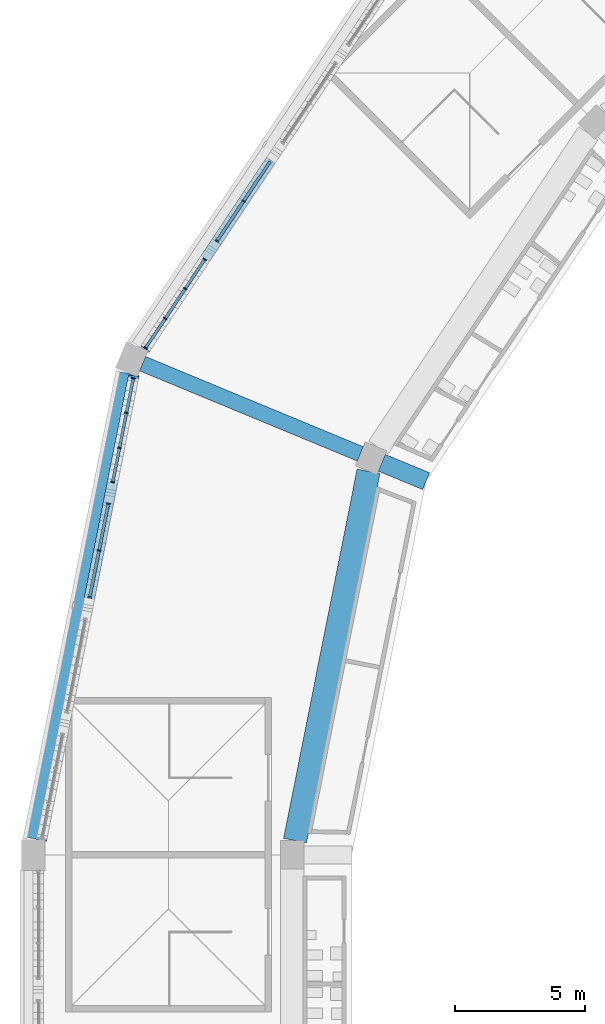
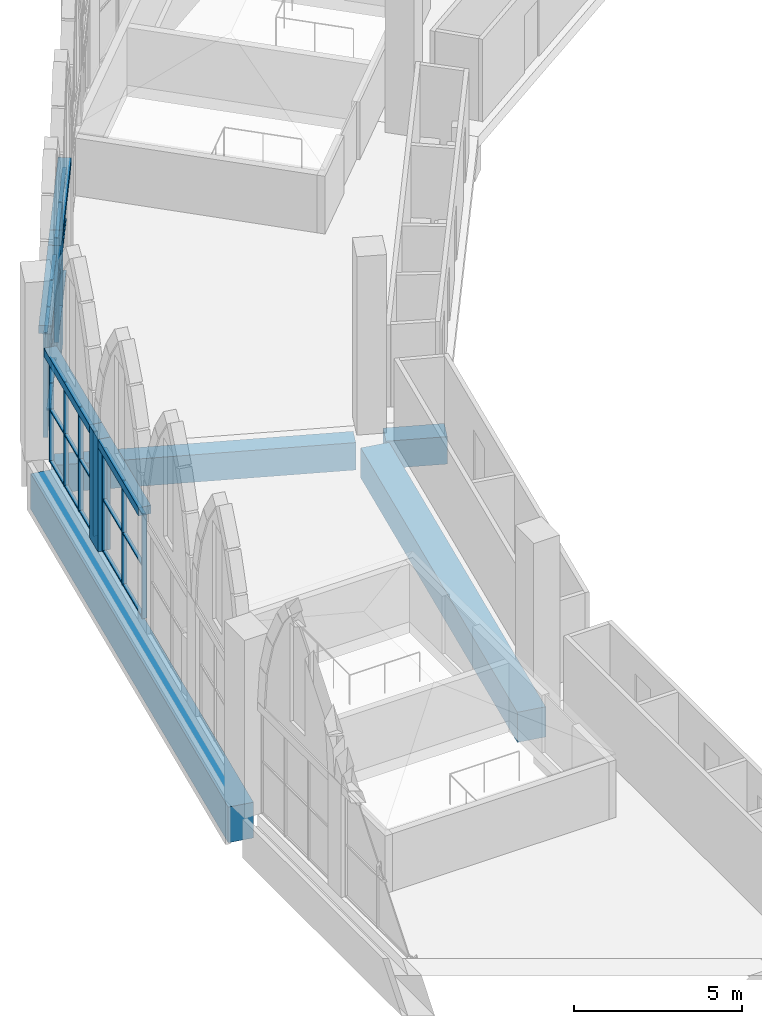
# One storey, part 31 of 130: 45 members, 8 beams, 4 elements without a shape of their own.
"""IFC4 building model written with IfcOpenShell, lengths in metres."""

from ifc_helpers import new_model, si_unit, direction, frame, origin, origin_2d, place, context, subcontext, project, spatial, rectangle, extrude, material, material_profile, profile_set, type_object, element, aggregate, save


model = new_model("IFC4")

# Units and contexts
model_context = context("Model", 3, precision=1e-05, world=origin(), true_north=direction((0.0, 1.0)))
body_context = subcontext(model_context, "Body", "Model", "MODEL_VIEW")
ifc_project = project(units=[si_unit("LENGTHUNIT", "METRE"), si_unit("AREAUNIT", "SQUARE_METRE"), si_unit("VOLUMEUNIT", "CUBIC_METRE"), si_unit("PLANEANGLEUNIT", "RADIAN"), si_unit("MASSUNIT", "GRAM", prefix="KILO")], contexts=[model_context])

# Site, building, storey
site_placement = place(None, origin())
site = spatial("IfcSite", under=ifc_project, at=site_placement, CompositionType="ELEMENT")
building_placement = place(site_placement, origin())
building = spatial("IfcBuilding", under=site, at=building_placement, Name="Ogive Plaza Stadium", CompositionType="ELEMENT")
storey_placement = place(building_placement, frame((0.0, 0.0, 22.5)))
storey = spatial("IfcBuildingStorey", under=building, at=storey_placement, Name="L05", CompositionType="ELEMENT", Elevation=22.5)

# Curtain wall, members
ifc_material_1 = material(Name="Bronze-anodised aluminium with laminated glass", Category="aluminium")
curtain_wall_type = type_object("IfcCurtainWallType", Name="Lancet curtain wall", PredefinedType="NOTDEFINED", material=ifc_material_1)
curtain_wall_1_placement = place(storey_placement, origin())
curtain_wall_1 = element("IfcCurtainWall", 1, at=curtain_wall_1_placement, inside=storey, type_object=curtain_wall_type, Name="CURTAIN WALL B28 L05", PredefinedType="NOTDEFINED")
ifc_material_2 = material(Name="Bronze-anodised aluminium", Category="aluminium")
ifc_material_profile_1 = material_profile(ifc_material_2, rectangle(XDim=0.14990234375, YDim=0.050048828125, at=origin_2d()), Name="AL 150x50")
ifc_profile_set_1 = profile_set([ifc_material_profile_1], Name="Bronze-anodised aluminium")
member_type_1 = type_object("IfcMemberType", Name="Curtain wall mullion 50x150", PredefinedType="MULLION", material=ifc_profile_set_1)
member_1_placement = place(storey_placement, frame((-81.81787109375, 62.44482421875, 0.0), z_axis=(0.0, 0.0, 1.0), x_axis=(-0.980785280417, 0.195090321948, 0.0)))
member_1 = element("IfcMember", 2, at=member_1_placement, type_object=member_type_1, Name="CW-B28-L05.3 mullion 1", PredefinedType="MULLION", context=body_context, shape_type="SweptSolid", body=[
    extrude(rectangle(XDim=0.14990234375, YDim=0.050048828125, at=origin_2d()), origin(), (0.0, 0.0, 1.0), 3.800048828125),
])
member_2_placement = place(storey_placement, frame((-81.458740234375, 64.250244140625, 0.0), z_axis=(0.0, 0.0, 1.0), x_axis=(-0.980785280417, 0.195090321948, 0.0)))
member_2 = element("IfcMember", 3, at=member_2_placement, type_object=member_type_1, Name="CW-B28-L05.3 mullion 2", PredefinedType="MULLION", context=body_context, shape_type="SweptSolid", body=[
    extrude(rectangle(XDim=0.14990234375, YDim=0.050048828125, at=origin_2d()), origin(), (0.0, 0.0, 1.0), 3.800048828125),
])
member_3_placement = place(storey_placement, frame((-81.099609375, 66.0556640625, 0.0), z_axis=(0.0, 0.0, 1.0), x_axis=(-0.980785280417, 0.195090321948, 0.0)))
member_3 = element("IfcMember", 4, at=member_3_placement, type_object=member_type_1, Name="CW-B28-L05.3 mullion 3", PredefinedType="MULLION", context=body_context, shape_type="SweptSolid", body=[
    extrude(rectangle(XDim=0.14990234375, YDim=0.050048828125, at=origin_2d()), origin(), (0.0, 0.0, 1.0), 3.800048828125),
])

curtain_wall_2_placement = place(storey_placement, origin())
curtain_wall_2 = element("IfcCurtainWall", 5, at=curtain_wall_2_placement, inside=storey, type_object=curtain_wall_type, Name="CURTAIN WALL B28 L05", PredefinedType="NOTDEFINED")
member_4_placement = place(storey_placement, frame((-80.933837890625, 66.889404296875, 0.0), z_axis=(0.0, 0.0, 1.0), x_axis=(-0.980785280403, 0.195090322016, 0.0)))
member_4 = element("IfcMember", 6, at=member_4_placement, type_object=member_type_1, Name="CW-B28-L05.4 mullion 1", PredefinedType="MULLION", context=body_context, shape_type="SweptSolid", body=[
    extrude(rectangle(XDim=0.14990234375, YDim=0.050048828125, at=origin_2d()), origin(), (0.0, 0.0, 1.0), 3.800048828125),
])
member_5_placement = place(storey_placement, frame((-80.670166015625, 68.215576171875, 0.0), z_axis=(0.0, 0.0, 1.0), x_axis=(-0.980785280403, 0.195090322016, 0.0)))
member_5 = element("IfcMember", 7, at=member_5_placement, type_object=member_type_1, Name="CW-B28-L05.4 mullion 2", PredefinedType="MULLION", context=body_context, shape_type="SweptSolid", body=[
    extrude(rectangle(XDim=0.14990234375, YDim=0.050048828125, at=origin_2d()), origin(), (0.0, 0.0, 1.0), 3.800048828125),
])
member_6_placement = place(storey_placement, frame((-80.4013671875, 69.56640625, 0.0), z_axis=(0.0, 0.0, 1.0), x_axis=(-0.980785280403, 0.195090322016, 0.0)))
member_6 = element("IfcMember", 8, at=member_6_placement, type_object=member_type_1, Name="CW-B28-L05.4 mullion 3", PredefinedType="MULLION", context=body_context, shape_type="SweptSolid", body=[
    extrude(rectangle(XDim=0.14990234375, YDim=0.050048828125, at=origin_2d()), origin(), (0.0, 0.0, 1.0), 3.800048828125),
])
member_7_placement = place(storey_placement, frame((-80.137451171875, 70.892578125, 0.0), z_axis=(0.0, 0.0, 1.0), x_axis=(-0.980785280403, 0.195090322016, 0.0)))
member_7 = element("IfcMember", 9, at=member_7_placement, type_object=member_type_1, Name="CW-B28-L05.4 mullion 4", PredefinedType="MULLION", context=body_context, shape_type="SweptSolid", body=[
    extrude(rectangle(XDim=0.14990234375, YDim=0.050048828125, at=origin_2d()), origin(), (0.0, 0.0, 1.0), 3.800048828125),
])

curtain_wall_3_placement = place(storey_placement, origin())
curtain_wall_3 = element("IfcCurtainWall", 10, at=curtain_wall_3_placement, inside=storey, type_object=curtain_wall_type, Name="CURTAIN WALL B29 L05", PredefinedType="NOTDEFINED")
member_8_placement = place(storey_placement, frame((-79.657958984375, 72.076171875, 0.0), z_axis=(0.0, 0.0, 1.0), x_axis=(-0.83146961239, 0.555570232889, 0.0)))
member_8 = element("IfcMember", 11, at=member_8_placement, type_object=member_type_1, Name="CW-B29-L05.1 mullion 1", PredefinedType="MULLION", context=body_context, shape_type="SweptSolid", body=[
    extrude(rectangle(XDim=0.14990234375, YDim=0.050048828125, at=origin_2d()), origin(), (0.0, 0.0, 1.0), 3.800048828125),
])
member_9_placement = place(storey_placement, frame((-78.902099609375, 73.207763671875, 0.0), z_axis=(0.0, 0.0, 1.0), x_axis=(-0.83146961239, 0.555570232889, 0.0)))
member_9 = element("IfcMember", 12, at=member_9_placement, type_object=member_type_1, Name="CW-B29-L05.1 mullion 2", PredefinedType="MULLION", context=body_context, shape_type="SweptSolid", body=[
    extrude(rectangle(XDim=0.14990234375, YDim=0.050048828125, at=origin_2d()), origin(), (0.0, 0.0, 1.0), 3.800048828125),
])
member_10_placement = place(storey_placement, frame((-78.13232421875, 74.35986328125, 0.0), z_axis=(0.0, 0.0, 1.0), x_axis=(-0.83146961239, 0.555570232889, 0.0)))
member_10 = element("IfcMember", 13, at=member_10_placement, type_object=member_type_1, Name="CW-B29-L05.1 mullion 3", PredefinedType="MULLION", context=body_context, shape_type="SweptSolid", body=[
    extrude(rectangle(XDim=0.14990234375, YDim=0.050048828125, at=origin_2d()), origin(), (0.0, 0.0, 1.0), 3.800048828125),
])
member_11_placement = place(storey_placement, frame((-77.376220703125, 75.4912109375, 0.0), z_axis=(0.0, 0.0, 1.0), x_axis=(-0.83146961239, 0.555570232889, 0.0)))
member_11 = element("IfcMember", 14, at=member_11_placement, type_object=member_type_1, Name="CW-B29-L05.1 mullion 4", PredefinedType="MULLION", context=body_context, shape_type="SweptSolid", body=[
    extrude(rectangle(XDim=0.14990234375, YDim=0.050048828125, at=origin_2d()), origin(), (0.0, 0.0, 1.0), 3.800048828125),
])

curtain_wall_4_placement = place(storey_placement, origin())
curtain_wall_4 = element("IfcCurtainWall", 15, at=curtain_wall_4_placement, inside=storey, type_object=curtain_wall_type, Name="CURTAIN WALL B29 L05", PredefinedType="NOTDEFINED")
member_12_placement = place(storey_placement, frame((-76.904052734375, 76.197998046875, 0.0), z_axis=(0.0, 0.0, 1.0), x_axis=(-0.831469612157, 0.555570233237, 0.0)))
member_12 = element("IfcMember", 16, at=member_12_placement, type_object=member_type_1, Name="CW-B29-L05.2 mullion 1", PredefinedType="MULLION", context=body_context, shape_type="SweptSolid", body=[
    extrude(rectangle(XDim=0.14990234375, YDim=0.050048828125, at=origin_2d()), origin(), (0.0, 0.0, 1.0), 3.800048828125),
])
member_13_placement = place(storey_placement, frame((-75.874267578125, 77.739013671875, 0.0), z_axis=(0.0, 0.0, 1.0), x_axis=(-0.831469612157, 0.555570233237, 0.0)))
member_13 = element("IfcMember", 17, at=member_13_placement, type_object=member_type_1, Name="CW-B29-L05.2 mullion 2", PredefinedType="MULLION", context=body_context, shape_type="SweptSolid", body=[
    extrude(rectangle(XDim=0.14990234375, YDim=0.050048828125, at=origin_2d()), origin(), (0.0, 0.0, 1.0), 3.800048828125),
])

# Member
ifc_material_3 = material(Name="Bronze-anodised aluminium", Category="aluminium")
ifc_material_profile_2 = material_profile(ifc_material_3, rectangle(XDim=0.1201171875, YDim=0.050048828125, at=origin_2d()), Name="AL 120x50")
ifc_profile_set_2 = profile_set([ifc_material_profile_2], Name="Bronze-anodised aluminium")
member_type_2 = type_object("IfcMemberType", Name="Curtain wall transom 50x120", PredefinedType="USERDEFINED", material=ifc_profile_set_2)
member_14_placement = place(storey_placement, frame((-81.81298828125, 62.469482421875, 0.02490234375), z_axis=(0.195093525761, 0.980784643133, 0.0), x_axis=(-0.980784643133, 0.195093525761, 0.0)))
member_14 = element("IfcMember", 18, at=member_14_placement, type_object=member_type_2, Name="CW-B28-L05.3 transom 1.1", ObjectType="TRANSOM", PredefinedType="USERDEFINED", context=body_context, shape_type="SweptSolid", body=[
    extrude(rectangle(XDim=0.1201171875, YDim=0.050048828125, at=origin_2d()), origin(), (0.0, 0.0, 1.0), 1.790771484375),
])

member_15_placement = place(storey_placement, frame((-81.81298828125, 62.469482421875, 1.89990234375), z_axis=(0.195093525761, 0.980784643133, 0.0), x_axis=(-0.980784643133, 0.195093525761, 0.0)))
member_15 = element("IfcMember", 19, at=member_15_placement, type_object=member_type_2, Name="CW-B28-L05.3 transom 1.2", ObjectType="TRANSOM", PredefinedType="USERDEFINED", context=body_context, shape_type="SweptSolid", body=[
    extrude(rectangle(XDim=0.1201171875, YDim=0.050048828125, at=origin_2d()), origin(), (0.0, 0.0, 1.0), 1.790771484375),
])

member_16_placement = place(storey_placement, frame((-81.81298828125, 62.469482421875, 3.77490234375), z_axis=(0.195093525761, 0.980784643133, 0.0), x_axis=(-0.980784643133, 0.195093525761, 0.0)))
member_16 = element("IfcMember", 20, at=member_16_placement, type_object=member_type_2, Name="CW-B28-L05.3 transom 1.3", ObjectType="TRANSOM", PredefinedType="USERDEFINED", context=body_context, shape_type="SweptSolid", body=[
    extrude(rectangle(XDim=0.1201171875, YDim=0.050048828125, at=origin_2d()), origin(), (0.0, 0.0, 1.0), 1.790771484375),
])

member_17_placement = place(storey_placement, frame((-81.453857421875, 64.27490234375, 0.02490234375), z_axis=(0.195093525761, 0.980784643133, 0.0), x_axis=(-0.980784643133, 0.195093525761, 0.0)))
member_17 = element("IfcMember", 21, at=member_17_placement, type_object=member_type_2, Name="CW-B28-L05.3 transom 2.1", ObjectType="TRANSOM", PredefinedType="USERDEFINED", context=body_context, shape_type="SweptSolid", body=[
    extrude(rectangle(XDim=0.1201171875, YDim=0.050048828125, at=origin_2d()), origin(), (0.0, 0.0, 1.0), 1.790771484375),
])

member_18_placement = place(storey_placement, frame((-81.453857421875, 64.27490234375, 1.89990234375), z_axis=(0.195093525761, 0.980784643133, 0.0), x_axis=(-0.980784643133, 0.195093525761, 0.0)))
member_18 = element("IfcMember", 22, at=member_18_placement, type_object=member_type_2, Name="CW-B28-L05.3 transom 2.2", ObjectType="TRANSOM", PredefinedType="USERDEFINED", context=body_context, shape_type="SweptSolid", body=[
    extrude(rectangle(XDim=0.1201171875, YDim=0.050048828125, at=origin_2d()), origin(), (0.0, 0.0, 1.0), 1.790771484375),
])

member_19_placement = place(storey_placement, frame((-81.453857421875, 64.27490234375, 3.77490234375), z_axis=(0.195093525761, 0.980784643133, 0.0), x_axis=(-0.980784643133, 0.195093525761, 0.0)))
member_19 = element("IfcMember", 23, at=member_19_placement, type_object=member_type_2, Name="CW-B28-L05.3 transom 2.3", ObjectType="TRANSOM", PredefinedType="USERDEFINED", context=body_context, shape_type="SweptSolid", body=[
    extrude(rectangle(XDim=0.1201171875, YDim=0.050048828125, at=origin_2d()), origin(), (0.0, 0.0, 1.0), 1.790771484375),
])

aggregate(curtain_wall_1, [member_1, member_2, member_3, member_14, member_15, member_16, member_17, member_18, member_19])

member_20_placement = place(storey_placement, frame((-80.928955078125, 66.9140625, 0.02490234375), z_axis=(0.195178588319, 0.980767719015, 0.0), x_axis=(-0.980767719015, 0.195178588319, 0.0)))
member_20 = element("IfcMember", 24, at=member_20_placement, type_object=member_type_2, Name="CW-B28-L05.4 transom 1.1", ObjectType="TRANSOM", PredefinedType="USERDEFINED", context=body_context, shape_type="SweptSolid", body=[
    extrude(rectangle(XDim=0.1201171875, YDim=0.050048828125, at=origin_2d()), origin(), (0.0, 0.0, 1.0), 1.30224609375),
])

member_21_placement = place(storey_placement, frame((-80.928955078125, 66.9140625, 1.89990234375), z_axis=(0.195178588319, 0.980767719015, 0.0), x_axis=(-0.980767719015, 0.195178588319, 0.0)))
member_21 = element("IfcMember", 25, at=member_21_placement, type_object=member_type_2, Name="CW-B28-L05.4 transom 1.2", ObjectType="TRANSOM", PredefinedType="USERDEFINED", context=body_context, shape_type="SweptSolid", body=[
    extrude(rectangle(XDim=0.1201171875, YDim=0.050048828125, at=origin_2d()), origin(), (0.0, 0.0, 1.0), 1.30224609375),
])

member_22_placement = place(storey_placement, frame((-80.928955078125, 66.9140625, 3.77490234375), z_axis=(0.195178588319, 0.980767719015, 0.0), x_axis=(-0.980767719015, 0.195178588319, 0.0)))
member_22 = element("IfcMember", 26, at=member_22_placement, type_object=member_type_2, Name="CW-B28-L05.4 transom 1.3", ObjectType="TRANSOM", PredefinedType="USERDEFINED", context=body_context, shape_type="SweptSolid", body=[
    extrude(rectangle(XDim=0.1201171875, YDim=0.050048828125, at=origin_2d()), origin(), (0.0, 0.0, 1.0), 1.30224609375),
])

member_23_placement = place(storey_placement, frame((-80.665283203125, 68.240234375, 0.02490234375), z_axis=(0.19519617995, 0.980764218012, 0.0), x_axis=(-0.980764218012, 0.19519617995, 0.0)))
member_23 = element("IfcMember", 27, at=member_23_placement, type_object=member_type_2, Name="CW-B28-L05.4 transom 2.1", ObjectType="TRANSOM", PredefinedType="USERDEFINED", context=body_context, shape_type="SweptSolid", body=[
    extrude(rectangle(XDim=0.1201171875, YDim=0.050048828125, at=origin_2d()), origin(), (0.0, 0.0, 1.0), 1.3271484375),
])

member_24_placement = place(storey_placement, frame((-80.665283203125, 68.240234375, 1.89990234375), z_axis=(0.19519617995, 0.980764218012, 0.0), x_axis=(-0.980764218012, 0.19519617995, 0.0)))
member_24 = element("IfcMember", 28, at=member_24_placement, type_object=member_type_2, Name="CW-B28-L05.4 transom 2.2", ObjectType="TRANSOM", PredefinedType="USERDEFINED", context=body_context, shape_type="SweptSolid", body=[
    extrude(rectangle(XDim=0.1201171875, YDim=0.050048828125, at=origin_2d()), origin(), (0.0, 0.0, 1.0), 1.3271484375),
])

member_25_placement = place(storey_placement, frame((-80.665283203125, 68.240234375, 3.77490234375), z_axis=(0.19519617995, 0.980764218012, 0.0), x_axis=(-0.980764218012, 0.19519617995, 0.0)))
member_25 = element("IfcMember", 29, at=member_25_placement, type_object=member_type_2, Name="CW-B28-L05.4 transom 2.3", ObjectType="TRANSOM", PredefinedType="USERDEFINED", context=body_context, shape_type="SweptSolid", body=[
    extrude(rectangle(XDim=0.1201171875, YDim=0.050048828125, at=origin_2d()), origin(), (0.0, 0.0, 1.0), 1.3271484375),
])

member_26_placement = place(storey_placement, frame((-80.396484375, 69.5908203125, 0.02490234375), z_axis=(0.195142704264, 0.980774859472, 0.0), x_axis=(-0.980774859472, 0.195142704264, 0.0)))
member_26 = element("IfcMember", 30, at=member_26_placement, type_object=member_type_2, Name="CW-B28-L05.4 transom 3.1", ObjectType="TRANSOM", PredefinedType="USERDEFINED", context=body_context, shape_type="SweptSolid", body=[
    extrude(rectangle(XDim=0.1201171875, YDim=0.050048828125, at=origin_2d()), origin(), (0.0, 0.0, 1.0), 1.302490234375),
])

member_27_placement = place(storey_placement, frame((-80.396484375, 69.5908203125, 1.89990234375), z_axis=(0.195142704264, 0.980774859472, 0.0), x_axis=(-0.980774859472, 0.195142704264, 0.0)))
member_27 = element("IfcMember", 31, at=member_27_placement, type_object=member_type_2, Name="CW-B28-L05.4 transom 3.2", ObjectType="TRANSOM", PredefinedType="USERDEFINED", context=body_context, shape_type="SweptSolid", body=[
    extrude(rectangle(XDim=0.1201171875, YDim=0.050048828125, at=origin_2d()), origin(), (0.0, 0.0, 1.0), 1.302490234375),
])

member_28_placement = place(storey_placement, frame((-80.396484375, 69.5908203125, 3.77490234375), z_axis=(0.195142704264, 0.980774859472, 0.0), x_axis=(-0.980774859472, 0.195142704264, 0.0)))
member_28 = element("IfcMember", 32, at=member_28_placement, type_object=member_type_2, Name="CW-B28-L05.4 transom 3.3", ObjectType="TRANSOM", PredefinedType="USERDEFINED", context=body_context, shape_type="SweptSolid", body=[
    extrude(rectangle(XDim=0.1201171875, YDim=0.050048828125, at=origin_2d()), origin(), (0.0, 0.0, 1.0), 1.302490234375),
])

aggregate(curtain_wall_2, [member_4, member_5, member_6, member_7, member_20, member_21, member_22, member_23, member_24, member_25, member_26, member_27, member_28])

member_29_placement = place(storey_placement, frame((-79.64404296875, 72.09716796875, 0.02490234375), z_axis=(0.555559766553, 0.831476605676, 0.0), x_axis=(-0.831476605676, 0.555559766553, 0.0)))
member_29 = element("IfcMember", 33, at=member_29_placement, type_object=member_type_2, Name="CW-B29-L05.1 transom 1.1", ObjectType="TRANSOM", PredefinedType="USERDEFINED", context=body_context, shape_type="SweptSolid", body=[
    extrude(rectangle(XDim=0.1201171875, YDim=0.050048828125, at=origin_2d()), origin(), (0.0, 0.0, 1.0), 1.310546875),
])

member_30_placement = place(storey_placement, frame((-79.64404296875, 72.09716796875, 1.89990234375), z_axis=(0.555559766553, 0.831476605676, 0.0), x_axis=(-0.831476605676, 0.555559766553, 0.0)))
member_30 = element("IfcMember", 34, at=member_30_placement, type_object=member_type_2, Name="CW-B29-L05.1 transom 1.2", ObjectType="TRANSOM", PredefinedType="USERDEFINED", context=body_context, shape_type="SweptSolid", body=[
    extrude(rectangle(XDim=0.1201171875, YDim=0.050048828125, at=origin_2d()), origin(), (0.0, 0.0, 1.0), 1.310546875),
])

member_31_placement = place(storey_placement, frame((-79.64404296875, 72.09716796875, 3.77490234375), z_axis=(0.555559766553, 0.831476605676, 0.0), x_axis=(-0.831476605676, 0.555559766553, 0.0)))
member_31 = element("IfcMember", 35, at=member_31_placement, type_object=member_type_2, Name="CW-B29-L05.1 transom 1.3", ObjectType="TRANSOM", PredefinedType="USERDEFINED", context=body_context, shape_type="SweptSolid", body=[
    extrude(rectangle(XDim=0.1201171875, YDim=0.050048828125, at=origin_2d()), origin(), (0.0, 0.0, 1.0), 1.310546875),
])

member_32_placement = place(storey_placement, frame((-78.88818359375, 73.228515625, 0.02490234375), z_axis=(0.555627772154, 0.831431163002, 0.0), x_axis=(-0.831431163002, 0.555627772154, 0.0)))
member_32 = element("IfcMember", 36, at=member_32_placement, type_object=member_type_2, Name="CW-B29-L05.1 transom 2.1", ObjectType="TRANSOM", PredefinedType="USERDEFINED", context=body_context, shape_type="SweptSolid", body=[
    extrude(rectangle(XDim=0.1201171875, YDim=0.050048828125, at=origin_2d()), origin(), (0.0, 0.0, 1.0), 1.335693359375),
])

member_33_placement = place(storey_placement, frame((-78.88818359375, 73.228515625, 1.89990234375), z_axis=(0.555627772154, 0.831431163002, 0.0), x_axis=(-0.831431163002, 0.555627772154, 0.0)))
member_33 = element("IfcMember", 37, at=member_33_placement, type_object=member_type_2, Name="CW-B29-L05.1 transom 2.2", ObjectType="TRANSOM", PredefinedType="USERDEFINED", context=body_context, shape_type="SweptSolid", body=[
    extrude(rectangle(XDim=0.1201171875, YDim=0.050048828125, at=origin_2d()), origin(), (0.0, 0.0, 1.0), 1.335693359375),
])

member_34_placement = place(storey_placement, frame((-78.88818359375, 73.228515625, 3.77490234375), z_axis=(0.555627772154, 0.831431163002, 0.0), x_axis=(-0.831431163002, 0.555627772154, 0.0)))
member_34 = element("IfcMember", 38, at=member_34_placement, type_object=member_type_2, Name="CW-B29-L05.1 transom 2.3", ObjectType="TRANSOM", PredefinedType="USERDEFINED", context=body_context, shape_type="SweptSolid", body=[
    extrude(rectangle(XDim=0.1201171875, YDim=0.050048828125, at=origin_2d()), origin(), (0.0, 0.0, 1.0), 1.335693359375),
])

member_35_placement = place(storey_placement, frame((-78.118408203125, 74.380615234375, 0.02490234375), z_axis=(0.555602496438, 0.83144805367, 0.0), x_axis=(-0.83144805367, 0.555602496438, 0.0)))
member_35 = element("IfcMember", 39, at=member_35_placement, type_object=member_type_2, Name="CW-B29-L05.1 transom 3.1", ObjectType="TRANSOM", PredefinedType="USERDEFINED", context=body_context, shape_type="SweptSolid", body=[
    extrude(rectangle(XDim=0.1201171875, YDim=0.050048828125, at=origin_2d()), origin(), (0.0, 0.0, 1.0), 1.310791015625),
])

member_36_placement = place(storey_placement, frame((-78.118408203125, 74.380615234375, 1.89990234375), z_axis=(0.555602496438, 0.83144805367, 0.0), x_axis=(-0.83144805367, 0.555602496438, 0.0)))
member_36 = element("IfcMember", 40, at=member_36_placement, type_object=member_type_2, Name="CW-B29-L05.1 transom 3.2", ObjectType="TRANSOM", PredefinedType="USERDEFINED", context=body_context, shape_type="SweptSolid", body=[
    extrude(rectangle(XDim=0.1201171875, YDim=0.050048828125, at=origin_2d()), origin(), (0.0, 0.0, 1.0), 1.310791015625),
])

member_37_placement = place(storey_placement, frame((-78.118408203125, 74.380615234375, 3.77490234375), z_axis=(0.555602496438, 0.83144805367, 0.0), x_axis=(-0.83144805367, 0.555602496438, 0.0)))
member_37 = element("IfcMember", 41, at=member_37_placement, type_object=member_type_2, Name="CW-B29-L05.1 transom 3.3", ObjectType="TRANSOM", PredefinedType="USERDEFINED", context=body_context, shape_type="SweptSolid", body=[
    extrude(rectangle(XDim=0.1201171875, YDim=0.050048828125, at=origin_2d()), origin(), (0.0, 0.0, 1.0), 1.310791015625),
])

aggregate(curtain_wall_3, [member_8, member_9, member_10, member_11, member_29, member_30, member_31, member_32, member_33, member_34, member_35, member_36, member_37])

member_38_placement = place(storey_placement, frame((-76.89013671875, 76.21875, 0.02490234375), z_axis=(0.555574613559, 0.831466685303, 0.0), x_axis=(-0.831466685303, 0.555574613559, 0.0)))
member_38 = element("IfcMember", 42, at=member_38_placement, type_object=member_type_2, Name="CW-B29-L05.2 transom 1.1", ObjectType="TRANSOM", PredefinedType="USERDEFINED", context=body_context, shape_type="SweptSolid", body=[
    extrude(rectangle(XDim=0.1201171875, YDim=0.050048828125, at=origin_2d()), origin(), (0.0, 0.0, 1.0), 1.803466796875),
])

member_39_placement = place(storey_placement, frame((-76.89013671875, 76.21875, 1.89990234375), z_axis=(0.555574613559, 0.831466685303, 0.0), x_axis=(-0.831466685303, 0.555574613559, 0.0)))
member_39 = element("IfcMember", 43, at=member_39_placement, type_object=member_type_2, Name="CW-B29-L05.2 transom 1.2", ObjectType="TRANSOM", PredefinedType="USERDEFINED", context=body_context, shape_type="SweptSolid", body=[
    extrude(rectangle(XDim=0.1201171875, YDim=0.050048828125, at=origin_2d()), origin(), (0.0, 0.0, 1.0), 1.803466796875),
])

member_40_placement = place(storey_placement, frame((-76.89013671875, 76.21875, 3.77490234375), z_axis=(0.555574613559, 0.831466685303, 0.0), x_axis=(-0.831466685303, 0.555574613559, 0.0)))
member_40 = element("IfcMember", 44, at=member_40_placement, type_object=member_type_2, Name="CW-B29-L05.2 transom 1.3", ObjectType="TRANSOM", PredefinedType="USERDEFINED", context=body_context, shape_type="SweptSolid", body=[
    extrude(rectangle(XDim=0.1201171875, YDim=0.050048828125, at=origin_2d()), origin(), (0.0, 0.0, 1.0), 1.803466796875),
])

member_41_placement = place(storey_placement, frame((-75.8603515625, 77.760009765625, 0.02490234375), z_axis=(0.555574613559, 0.831466685303, 0.0), x_axis=(-0.831466685303, 0.555574613559, 0.0)))
member_41 = element("IfcMember", 45, at=member_41_placement, type_object=member_type_2, Name="CW-B29-L05.2 transom 2.1", ObjectType="TRANSOM", PredefinedType="USERDEFINED", context=body_context, shape_type="SweptSolid", body=[
    extrude(rectangle(XDim=0.1201171875, YDim=0.050048828125, at=origin_2d()), origin(), (0.0, 0.0, 1.0), 1.803466796875),
])

member_42_placement = place(storey_placement, frame((-75.8603515625, 77.760009765625, 1.89990234375), z_axis=(0.555574613559, 0.831466685303, 0.0), x_axis=(-0.831466685303, 0.555574613559, 0.0)))
member_42 = element("IfcMember", 46, at=member_42_placement, type_object=member_type_2, Name="CW-B29-L05.2 transom 2.2", ObjectType="TRANSOM", PredefinedType="USERDEFINED", context=body_context, shape_type="SweptSolid", body=[
    extrude(rectangle(XDim=0.1201171875, YDim=0.050048828125, at=origin_2d()), origin(), (0.0, 0.0, 1.0), 1.803466796875),
])

member_43_placement = place(storey_placement, frame((-75.8603515625, 77.760009765625, 3.77490234375), z_axis=(0.555574613559, 0.831466685303, 0.0), x_axis=(-0.831466685303, 0.555574613559, 0.0)))
member_43 = element("IfcMember", 47, at=member_43_placement, type_object=member_type_2, Name="CW-B29-L05.2 transom 2.3", ObjectType="TRANSOM", PredefinedType="USERDEFINED", context=body_context, shape_type="SweptSolid", body=[
    extrude(rectangle(XDim=0.1201171875, YDim=0.050048828125, at=origin_2d()), origin(), (0.0, 0.0, 1.0), 1.803466796875),
])

aggregate(curtain_wall_4, [member_12, member_13, member_38, member_39, member_40, member_41, member_42, member_43])

# Members
ifc_material_4 = material(Name="Concrete C45/55 precast", Category="concrete")
ifc_material_profile_3 = material_profile(ifc_material_4, rectangle(XDim=0.39990234375, YDim=0.800048828125, at=origin_2d()), Name="RC 400x800")
ifc_profile_set_3 = profile_set([ifc_material_profile_3], Name="Concrete C45/55 precast")
member_type_3 = type_object("IfcMemberType", Name="Precast colonette 800x400", PredefinedType="POST", material=ifc_profile_set_3)
for number, where, z_axis, x_axis, name in (
    (48, (-81.016845703125, 66.47265625, 0.0), (0.0, 0.0, 1.0), (-0.980785280403, 0.195090322016, 0.0), "COLONETTE B28 3"),
    (49, (-77.14013671875, 75.844482421875, 0.0), (0.0, 0.0, 1.0), (-0.831469612303, 0.55557023302, 0.0), "COLONETTE B29 1"),
):
    element("IfcMember", number, at=place(storey_placement, frame(where, z_axis=z_axis, x_axis=x_axis)), inside=storey, type_object=member_type_3, Name=name, PredefinedType="POST", context=body_context, shape_type="SweptSolid", body=[
        extrude(rectangle(XDim=0.39990234375, YDim=0.800048828125, at=origin_2d()), origin(), (0.0, 0.0, 1.0), 4.10009765625),
    ])

# Beams
ifc_material_5 = material(Name="Concrete C45/55 precast", Category="concrete")
ifc_material_profile_4 = material_profile(ifc_material_5, rectangle(XDim=0.39990234375, YDim=0.300048828125, at=origin_2d()), Name="RC 400x300")
ifc_profile_set_4 = profile_set([ifc_material_profile_4], Name="Concrete C45/55 precast")
beam_type_1 = type_object("IfcBeamType", Name="Precast tympanum lintel 400x300", PredefinedType="BEAM", material=ifc_profile_set_4)
beam_1_placement = place(storey_placement, frame((-81.82861328125, 62.390869140625, 3.949951171875), z_axis=(0.195100654669, 0.980783225054, 0.0), x_axis=(-0.980783225054, 0.195100654669, 0.0)))
element("IfcBeam", 50, at=beam_1_placement, inside=storey, type_object=beam_type_1, Name="TYMPANUM LINTEL B28 3", PredefinedType="BEAM", context=body_context, shape_type="SweptSolid", body=[
    extrude(rectangle(XDim=0.39990234375, YDim=0.300048828125, at=origin_2d()), origin(), (0.0, 0.0, 1.0), 3.79150390625),
])
beam_2_placement = place(storey_placement, frame((-80.944580078125, 66.83544921875, 3.949951171875), z_axis=(0.195075797594, 0.980788169379, 0.0), x_axis=(-0.980788169379, 0.195075797594, 0.0)))
element("IfcBeam", 51, at=beam_2_placement, inside=storey, type_object=beam_type_1, Name="TYMPANUM LINTEL B28 4", PredefinedType="BEAM", context=body_context, shape_type="SweptSolid", body=[
    extrude(rectangle(XDim=0.39990234375, YDim=0.300048828125, at=origin_2d()), origin(), (0.0, 0.0, 1.0), 4.24267578125),
])
beam_3_placement = place(storey_placement, frame((-79.6884765625, 72.030517578125, 3.949951171875), z_axis=(0.555554959537, 0.831479817514, 0.0), x_axis=(-0.831479817514, 0.555554959537, 0.0)))
element("IfcBeam", 52, at=beam_3_placement, inside=storey, type_object=beam_type_1, Name="TYMPANUM LINTEL B29 1", PredefinedType="BEAM", context=body_context, shape_type="SweptSolid", body=[
    extrude(rectangle(XDim=0.39990234375, YDim=0.300048828125, at=origin_2d()), origin(), (0.0, 0.0, 1.0), 4.217041015625),
])
beam_4_placement = place(storey_placement, frame((-76.9345703125, 76.152099609375, 3.949951171875), z_axis=(0.555555981733, 0.831479134531, 0.0), x_axis=(-0.831479134531, 0.555555981733, 0.0)))
element("IfcBeam", 53, at=beam_4_placement, inside=storey, type_object=beam_type_1, Name="TYMPANUM LINTEL B29 2", PredefinedType="BEAM", context=body_context, shape_type="SweptSolid", body=[
    extrude(rectangle(XDim=0.39990234375, YDim=0.300048828125, at=origin_2d()), origin(), (0.0, 0.0, 1.0), 3.817138671875),
])
ifc_material_6 = material(Name="Concrete C40/50", Category="concrete")
ifc_material_profile_5 = material_profile(ifc_material_6, rectangle(XDim=0.60009765625, YDim=1.0, at=origin_2d()), Name="RC 600x1000")
ifc_profile_set_5 = profile_set([ifc_material_profile_5], Name="Concrete C40/50")
beam_type_2 = type_object("IfcBeamType", Name="RC radial beam 600x1000", PredefinedType="BEAM", material=ifc_profile_set_5)
beam_5_placement = place(storey_placement, frame((-71.370849609375, 67.9794921875, -0.909912109375), z_axis=(-0.923882116707, 0.382677193504, 0.0), x_axis=(-0.382677193504, -0.923882116707, 0.0)))
element("IfcBeam", 54, at=beam_5_placement, inside=storey, type_object=beam_type_2, Name="Radial beam L05 R29 F4F5", PredefinedType="BEAM", context=body_context, shape_type="SweptSolid", body=[
    extrude(rectangle(XDim=0.60009765625, YDim=1.0, at=origin_2d()), origin(), (0.0, 0.0, 1.0), 9.10009765625),
])
ifc_material_7 = material(Name="Concrete C40/50", Category="concrete")
ifc_material_profile_6 = material_profile(ifc_material_7, rectangle(XDim=0.699951171875, YDim=1.0, at=origin_2d()), Name="RC 700x1000")
ifc_profile_set_6 = profile_set([ifc_material_profile_6], Name="Concrete C40/50")
beam_type_3 = type_object("IfcBeamType", Name="RC radial beam 700x1000", PredefinedType="BEAM", material=ifc_profile_set_6)
beam_6_placement = place(storey_placement, frame((-68.830322265625, 66.92724609375, -0.909912109375), z_axis=(-0.923921946364, 0.382581020213, 0.0), x_axis=(-0.382581020213, -0.923921946364, 0.0)))
element("IfcBeam", 55, at=beam_6_placement, inside=storey, type_object=beam_type_3, Name="Raker tail beam UT R29", PredefinedType="BEAM", context=body_context, shape_type="SweptSolid", body=[
    extrude(rectangle(XDim=0.699951171875, YDim=1.0, at=origin_2d()), origin(), (0.0, 0.0, 1.0), 1.849853515625),
])
ifc_material_8 = material(Name="Concrete C40/50", Category="concrete")
ifc_material_profile_7 = material_profile(ifc_material_8, rectangle(XDim=0.89990234375, YDim=1.10009765625, at=origin_2d()), Name="RC 900x1100")
ifc_profile_set_7 = profile_set([ifc_material_profile_7], Name="Concrete C40/50")
beam_type_4 = type_object("IfcBeamType", Name="RC ring beam 900x1100", PredefinedType="BEAM", material=ifc_profile_set_7)
beam_7_placement = place(storey_placement, frame((-73.890625, 53.050048828125, -0.9599609375), z_axis=(0.195088957992, 0.980785551724, 0.0), x_axis=(-0.980785551724, 0.195088957992, 0.0)))
element("IfcBeam", 56, at=beam_7_placement, inside=storey, type_object=beam_type_4, Name="Ring beam F4 L05 B28", PredefinedType="BEAM", context=body_context, shape_type="SweptSolid", body=[
    extrude(rectangle(XDim=0.89990234375, YDim=1.10009765625, at=origin_2d()), origin(), (0.0, 0.0, 1.0), 14.53662109375),
])
ifc_material_9 = material(Name="Concrete C40/50", Category="concrete")
ifc_material_profile_8 = material_profile(ifc_material_9, rectangle(XDim=0.800048828125, YDim=1.300048828125, at=origin_2d()), Name="RC 800x1300")
ifc_profile_set_8 = profile_set([ifc_material_profile_8], Name="Concrete C40/50")
beam_type_5 = type_object("IfcBeamType", Name="RC spandrel beam 800x1300", PredefinedType="SPANDREL", material=ifc_profile_set_8)
beam_8_placement = place(storey_placement, frame((-83.880615234375, 53.10009765625, -1.06005859375), z_axis=(0.195084152283, 0.980786507619, 0.0), x_axis=(-0.980786507619, 0.195084152283, 0.0)))
element("IfcBeam", 57, at=beam_8_placement, inside=storey, type_object=beam_type_5, Name="Ring beam F5 L05 B28", PredefinedType="SPANDREL", context=body_context, shape_type="SweptSolid", body=[
    extrude(rectangle(XDim=0.800048828125, YDim=1.300048828125, at=origin_2d()), origin(), (0.0, 0.0, 1.0), 18.33642578125),
])

save(model, "model.ifc")
